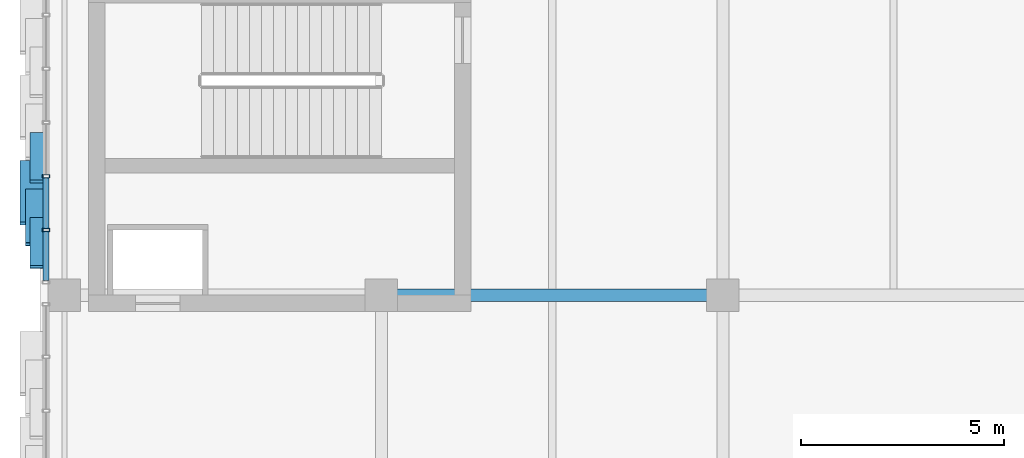
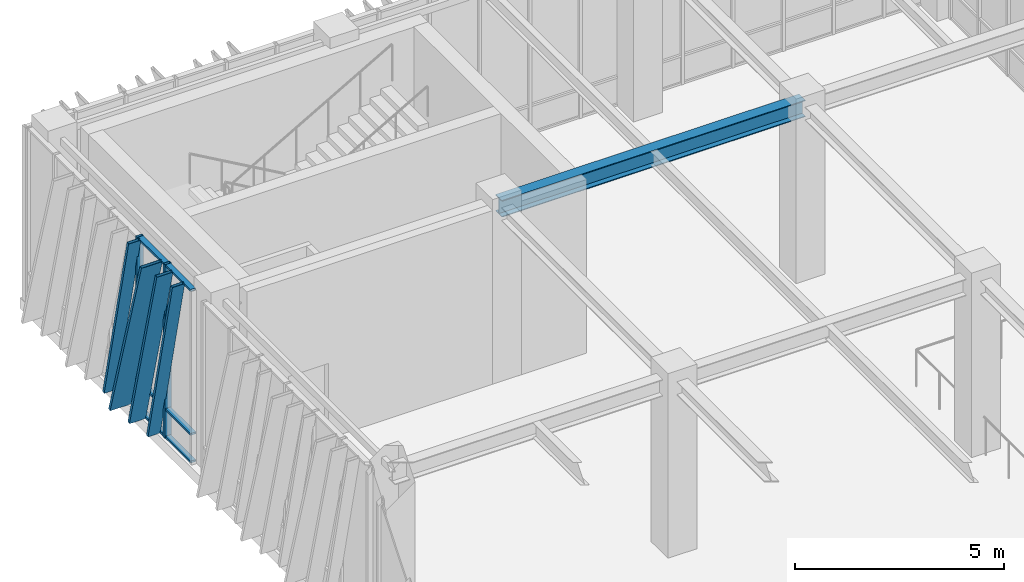
# One storey, part 45 of 139: 12 members, 1 beam, 1 element without a shape of its own.
"""IFC4 building model written with IfcOpenShell, lengths in metres."""

from ifc_helpers import new_model, si_unit, direction, frame, origin, origin_2d, place, context, subcontext, project, spatial, hollow_rectangle, i_section, extrude, material, layer, layer_set, material_profile, profile_set, type_object, element, aggregate, save


model = new_model("IFC4")

# Units and contexts
model_context = context("Model", 3, precision=1e-05, world=origin(), true_north=direction((0.0, 1.0)))
body_context = subcontext(model_context, "Body", "Model", "MODEL_VIEW")
ifc_project = project(units=[si_unit("LENGTHUNIT", "METRE"), si_unit("AREAUNIT", "SQUARE_METRE"), si_unit("VOLUMEUNIT", "CUBIC_METRE"), si_unit("PLANEANGLEUNIT", "RADIAN"), si_unit("MASSUNIT", "GRAM", prefix="KILO")], contexts=[model_context])

# Site, building, storey
site_placement = place(None, origin())
site = spatial("IfcSite", under=ifc_project, at=site_placement, CompositionType="ELEMENT")
building_placement = place(site_placement, origin())
building = spatial("IfcBuilding", under=site, at=building_placement, Name="Zayran Congress Hotel", CompositionType="ELEMENT")
storey_placement = place(building_placement, frame((0.0, 0.0, 5.39990234375)))
storey = spatial("IfcBuildingStorey", under=building, at=storey_placement, Name="L01", CompositionType="ELEMENT", Elevation=5.39990234375)

# Beam
ifc_material_1 = material(Name="Steel S355", Category="steel")
ifc_material_profile_1 = material_profile(ifc_material_1, i_section(OverallWidth=0.300048828125, OverallDepth=0.489990234375, WebThickness=0.011962890625, FlangeThickness=0.02294921875, at=origin_2d()), Name="HEA 500")
ifc_profile_set_1 = profile_set([ifc_material_profile_1], Name="Steel S355")
beam_type = type_object("IfcBeamType", Name="TP-BM-05", PredefinedType="BEAM", material=ifc_profile_set_1)
beam_placement = place(storey_placement, frame((16.800048828125, 109.60009765625, 4.835205078125), z_axis=(1.0, 0.0, 0.0), x_axis=(0.0, 1.0, 0.0)))
element("IfcBeam", 1, at=beam_placement, inside=storey, type_object=beam_type, Name="BM-V1-L01-0552", PredefinedType="BEAM", context=body_context, shape_type="SweptSolid", body=[
    extrude(i_section(OverallWidth=0.300048828125, OverallDepth=0.489990234375, WebThickness=0.011962890625, FlangeThickness=0.02294921875, at=origin_2d()), origin(), (0.0, 0.0, 1.0), 8.39990234375),
])

# Curtain wall, members
ifc_material_2 = material(Name="Anodised aluminium and low-E insulated glass", Category="aluminium")
ifc_layer = layer(ifc_material_2, 0.179931640625)
ifc_layer_set = layer_set([ifc_layer], Name="Anodised aluminium and low-E insulated glass")
curtain_wall_type = type_object("IfcCurtainWallType", Name="CW-V1W-L01-CW-32-7940-5080", PredefinedType="USERDEFINED", material=ifc_layer_set)
curtain_wall_placement = place(storey_placement, origin())
curtain_wall = element("IfcCurtainWall", 2, at=curtain_wall_placement, inside=storey, type_object=curtain_wall_type, Name="CW-V1W-L01-5", ObjectType="CURTAIN WALL", PredefinedType="USERDEFINED")
ifc_material_3 = material(Name="Anodised aluminium framing", Category="aluminium")
ifc_material_profile_2 = material_profile(ifc_material_3, hollow_rectangle(XDim=0.080078125, YDim=0.179931640625, WallThickness=0.0048828125, at=origin_2d()), Name="RHS 180x80x5")
ifc_profile_set_2 = profile_set([ifc_material_profile_2], Name="Anodised aluminium framing")
member_type_1 = type_object("IfcMemberType", Name="TP-CWM-01", PredefinedType="MULLION", material=ifc_profile_set_2)
member_1_placement = place(storey_placement, frame((8.550048828125, 112.526611328125, 0.0), z_axis=(0.0, 0.0, 1.0), x_axis=(0.0, 1.0, 0.0)))
member_1 = element("IfcMember", 3, at=member_1_placement, type_object=member_type_1, Name="CW-V1W-L01-5-M04", PredefinedType="MULLION", context=body_context, shape_type="SweptSolid", body=[
    extrude(hollow_rectangle(XDim=0.080078125, YDim=0.179931640625, WallThickness=0.0048828125, at=origin_2d()), origin(), (0.0, 0.0, 1.0), 5.080078125),
])
member_2_placement = place(storey_placement, frame((8.550048828125, 111.203369140625, 0.0), z_axis=(0.0, 0.0, 1.0), x_axis=(0.0, 1.0, 0.0)))
member_2 = element("IfcMember", 4, at=member_2_placement, type_object=member_type_1, Name="CW-V1W-L01-5-M05", PredefinedType="MULLION", context=body_context, shape_type="SweptSolid", body=[
    extrude(hollow_rectangle(XDim=0.080078125, YDim=0.179931640625, WallThickness=0.0048828125, at=origin_2d()), origin(), (0.0, 0.0, 1.0), 5.080078125),
])
ifc_material_profile_3 = material_profile(ifc_material_3, hollow_rectangle(XDim=0.06005859375, YDim=0.14990234375, WallThickness=0.00390625, at=origin_2d()), Name="RHS 150x60x4")
ifc_profile_set_3 = profile_set([ifc_material_profile_3], Name="Anodised aluminium framing")
member_type_2 = type_object("IfcMemberType", Name="TP-CWT-01", PredefinedType="USERDEFINED", material=ifc_profile_set_3)
member_3_placement = place(storey_placement, frame((8.550048828125, 112.48681640625, 0.030029296875), z_axis=(0.0, -1.0, 0.0), x_axis=(0.0, 0.0, 1.0)))
member_3 = element("IfcMember", 5, at=member_3_placement, type_object=member_type_2, Name="CW-V1W-L01-5-T04-0", ObjectType="TRANSOM", PredefinedType="USERDEFINED", context=body_context, shape_type="SweptSolid", body=[
    extrude(hollow_rectangle(XDim=0.06005859375, YDim=0.14990234375, WallThickness=0.00390625, at=origin_2d()), origin(), (0.0, 0.0, 1.0), 1.243408203125),
])
member_4_placement = place(storey_placement, frame((8.550048828125, 112.48681640625, 0.840087890625), z_axis=(0.0, -1.0, 0.0), x_axis=(0.0, 0.0, 1.0)))
member_4 = element("IfcMember", 6, at=member_4_placement, type_object=member_type_2, Name="CW-V1W-L01-5-T04-1", ObjectType="TRANSOM", PredefinedType="USERDEFINED", context=body_context, shape_type="SweptSolid", body=[
    extrude(hollow_rectangle(XDim=0.06005859375, YDim=0.14990234375, WallThickness=0.00390625, at=origin_2d()), origin(), (0.0, 0.0, 1.0), 1.243408203125),
])
member_5_placement = place(storey_placement, frame((8.550048828125, 112.48681640625, 5.050048828125), z_axis=(0.0, -1.0, 0.0), x_axis=(0.0, 0.0, 1.0)))
member_5 = element("IfcMember", 7, at=member_5_placement, type_object=member_type_2, Name="CW-V1W-L01-5-T04-2", ObjectType="TRANSOM", PredefinedType="USERDEFINED", context=body_context, shape_type="SweptSolid", body=[
    extrude(hollow_rectangle(XDim=0.06005859375, YDim=0.14990234375, WallThickness=0.00390625, at=origin_2d()), origin(), (0.0, 0.0, 1.0), 1.243408203125),
])
member_6_placement = place(storey_placement, frame((8.550048828125, 111.163330078125, 0.030029296875), z_axis=(0.0, -1.0, 0.0), x_axis=(0.0, 0.0, 1.0)))
member_6 = element("IfcMember", 8, at=member_6_placement, type_object=member_type_2, Name="CW-V1W-L01-5-T05-0", ObjectType="TRANSOM", PredefinedType="USERDEFINED", context=body_context, shape_type="SweptSolid", body=[
    extrude(hollow_rectangle(XDim=0.06005859375, YDim=0.14990234375, WallThickness=0.00390625, at=origin_2d()), origin(), (0.0, 0.0, 1.0), 1.203369140625),
])
member_7_placement = place(storey_placement, frame((8.550048828125, 111.163330078125, 0.840087890625), z_axis=(0.0, -1.0, 0.0), x_axis=(0.0, 0.0, 1.0)))
member_7 = element("IfcMember", 9, at=member_7_placement, type_object=member_type_2, Name="CW-V1W-L01-5-T05-1", ObjectType="TRANSOM", PredefinedType="USERDEFINED", context=body_context, shape_type="SweptSolid", body=[
    extrude(hollow_rectangle(XDim=0.06005859375, YDim=0.14990234375, WallThickness=0.00390625, at=origin_2d()), origin(), (0.0, 0.0, 1.0), 1.203369140625),
])
member_8_placement = place(storey_placement, frame((8.550048828125, 111.163330078125, 5.050048828125), z_axis=(0.0, -1.0, 0.0), x_axis=(0.0, 0.0, 1.0)))
member_8 = element("IfcMember", 10, at=member_8_placement, type_object=member_type_2, Name="CW-V1W-L01-5-T05-2", ObjectType="TRANSOM", PredefinedType="USERDEFINED", context=body_context, shape_type="SweptSolid", body=[
    extrude(hollow_rectangle(XDim=0.06005859375, YDim=0.14990234375, WallThickness=0.00390625, at=origin_2d()), origin(), (0.0, 0.0, 1.0), 1.203369140625),
])
ifc_material_4 = material(Name="Warm bronze anodised aluminium", Category="aluminium")
ifc_material_profile_4 = material_profile(ifc_material_4, hollow_rectangle(XDim=0.080078125, YDim=0.580078125, WallThickness=0.006103515625, at=origin_2d()), Name="RHS 580x80x6")
ifc_profile_set_4 = profile_set([ifc_material_profile_4], Name="Warm bronze anodised aluminium")
member_type_3 = type_object("IfcMemberType", Name="TP-RFN-01", PredefinedType="MULLION", material=ifc_profile_set_4)
member_9_placement = place(storey_placement, frame((8.199951171875, 112.8701171875, 0.0), z_axis=(0.0, -0.284031848834, 0.958814845968), x_axis=(0.0, 0.958814845968, 0.284031848834)))
member_9 = element("IfcMember", 11, at=member_9_placement, type_object=member_type_3, Name="Slanting Reed Mullion CW-32-07", PredefinedType="MULLION", context=body_context, shape_type="SweptSolid", body=[
    extrude(hollow_rectangle(XDim=0.080078125, YDim=0.580078125, WallThickness=0.006103515625, at=origin_2d()), origin(), (0.0, 0.0, 1.0), 5.29833984375),
])
ifc_material_profile_5 = material_profile(ifc_material_4, hollow_rectangle(XDim=0.080078125, YDim=0.449951171875, WallThickness=0.006103515625, at=origin_2d()), Name="RHS 450x80x6")
ifc_profile_set_5 = profile_set([ifc_material_profile_5], Name="Warm bronze anodised aluminium")
member_type_4 = type_object("IfcMemberType", Name="TP-RFN-02", PredefinedType="MULLION", material=ifc_profile_set_5)
member_10_placement = place(storey_placement, frame((8.264892578125, 112.169921875, 0.0), z_axis=(0.0, -0.250366279854, 0.968151189594), x_axis=(0.0, 0.968151189594, 0.250366279854)))
member_10 = element("IfcMember", 12, at=member_10_placement, type_object=member_type_4, Name="Slanting Reed Mullion CW-32-08", PredefinedType="MULLION", context=body_context, shape_type="SweptSolid", body=[
    extrude(hollow_rectangle(XDim=0.080078125, YDim=0.449951171875, WallThickness=0.006103515625, at=origin_2d()), origin(), (0.0, 0.0, 1.0), 5.247314453125),
])
ifc_material_profile_6 = material_profile(ifc_material_4, hollow_rectangle(XDim=0.080078125, YDim=0.340087890625, WallThickness=0.006103515625, at=origin_2d()), Name="RHS 340x80x6")
ifc_profile_set_6 = profile_set([ifc_material_profile_6], Name="Warm bronze anodised aluminium")
member_type_5 = type_object("IfcMemberType", Name="TP-RFN-03", PredefinedType="MULLION", material=ifc_profile_set_6)
member_11_placement = place(storey_placement, frame((8.320068359375, 113.570068359375, 0.0), z_axis=(0.0, -0.224955263497, 0.974369093016), x_axis=(0.0, 0.974369093016, 0.224955263497)))
member_11 = element("IfcMember", 13, at=member_11_placement, type_object=member_type_5, Name="Slanting Reed Mullion CW-32-06", PredefinedType="MULLION", context=body_context, shape_type="SweptSolid", body=[
    extrude(hollow_rectangle(XDim=0.080078125, YDim=0.340087890625, WallThickness=0.006103515625, at=origin_2d()), origin(), (0.0, 0.0, 1.0), 5.213623046875),
])
member_12_placement = place(storey_placement, frame((8.320068359375, 111.469970703125, 0.0), z_axis=(0.0, -0.224955263497, 0.974369093016), x_axis=(0.0, 0.974369093016, 0.224955263497)))
member_12 = element("IfcMember", 14, at=member_12_placement, type_object=member_type_5, Name="Slanting Reed Mullion CW-32-09", PredefinedType="MULLION", context=body_context, shape_type="SweptSolid", body=[
    extrude(hollow_rectangle(XDim=0.080078125, YDim=0.340087890625, WallThickness=0.006103515625, at=origin_2d()), origin(), (0.0, 0.0, 1.0), 5.213623046875),
])
aggregate(curtain_wall, [member_1, member_2, member_3, member_4, member_5, member_6, member_7, member_8, member_11, member_9, member_10, member_12])

save(model, "model.ifc")
